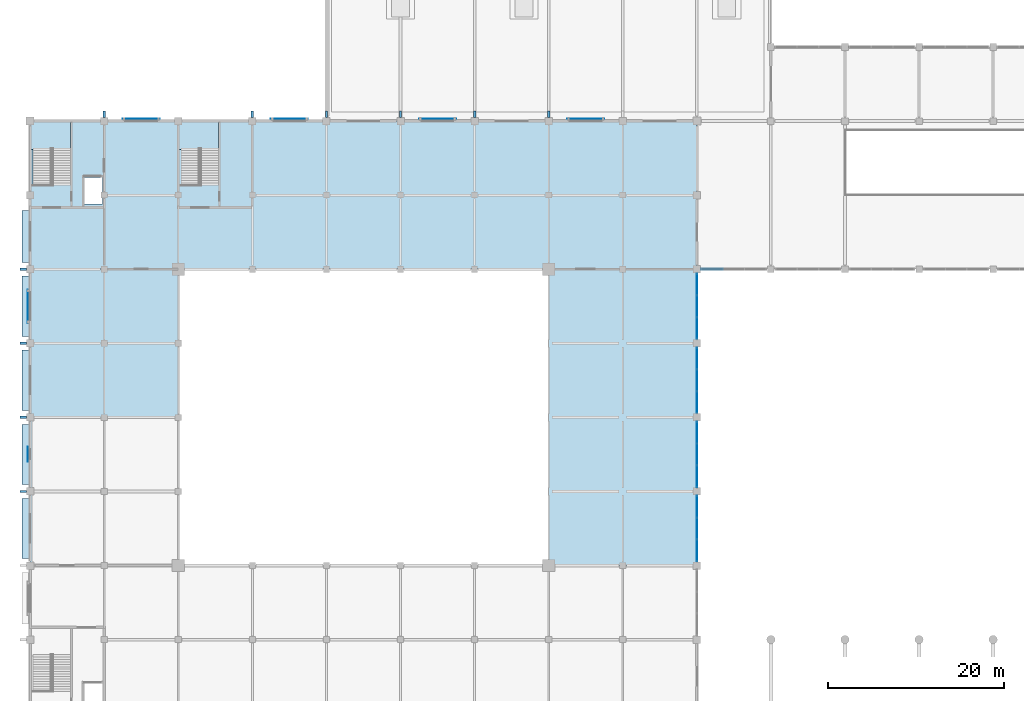
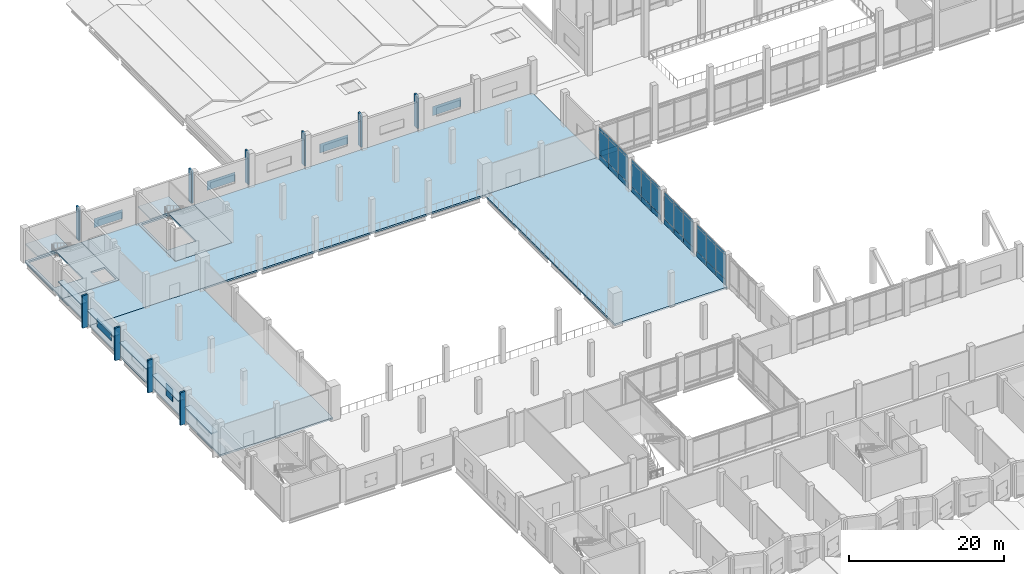
# One storey, part 38 of 72: 58 plates, 7 slabs, 7 elements without a shape of their own.
"""IFC4 building model written with IfcOpenShell, lengths in metres."""

from ifc_helpers import new_model, si_unit, direction, frame, frame_2d, origin, place, context, subcontext, project, spatial, polyline, rectangle, outline, extrude, material, layer, layer_set, type_object, element, aggregate, save


model = new_model("IFC4")

# Units and contexts
model_context = context("Model", 3, precision=1e-05, world=origin(), true_north=direction((0.0, 1.0)))
body_context = subcontext(model_context, "Body", "Model", "MODEL_VIEW")
ifc_project = project(units=[si_unit("LENGTHUNIT", "METRE"), si_unit("AREAUNIT", "SQUARE_METRE"), si_unit("VOLUMEUNIT", "CUBIC_METRE"), si_unit("PLANEANGLEUNIT", "RADIAN"), si_unit("MASSUNIT", "GRAM", prefix="KILO")], contexts=[model_context])

# Site, building, storey
site_placement = place(None, origin())
site = spatial("IfcSite", under=ifc_project, at=site_placement, CompositionType="ELEMENT")
building_placement = place(site_placement, origin())
building = spatial("IfcBuilding", under=site, at=building_placement, Name="Qawsi Khor Wholesale Market", CompositionType="ELEMENT")
storey_placement = place(building_placement, frame((0.0, 0.0, 6.0)))
storey = spatial("IfcBuildingStorey", under=building, at=storey_placement, Name="L01", CompositionType="ELEMENT", Elevation=6.0)

# Curtain wall, plates
ifc_material_1 = material(Name="Aluminium Anodised Bronze", Category="aluminium")
ifc_layer_1 = layer(ifc_material_1, 0.199951171875, Name="Aluminium Anodised Bronze")
ifc_layer_set_1 = layer_set([ifc_layer_1], Name="Aluminium Anodised Bronze")
curtain_wall_type_1 = type_object("IfcCurtainWallType", Name="Trading Hall North-Light Curtain Wall CW-03", PredefinedType="NOTDEFINED", material=ifc_layer_set_1)
curtain_wall_1_placement = place(storey_placement, origin())
curtain_wall_1 = element("IfcCurtainWall", 1, at=curtain_wall_1_placement, inside=storey, type_object=curtain_wall_type_1, Name="Curtain wall CW-CW-03-L01-078", PredefinedType="NOTDEFINED")
ifc_material_2 = material(Name="Anodised Aluminium Spandrel", Category="aluminium")
ifc_layer_2 = layer(ifc_material_2, 0.074951171875, Name="Anodised Aluminium Spandrel")
ifc_layer_set_2 = layer_set([ifc_layer_2], Name="Anodised Aluminium Spandrel")
plate_type_1 = type_object("IfcPlateType", Name="Insulated Spandrel Panel CW-03 75mm", PredefinedType="CURTAIN_PANEL", material=ifc_layer_set_2)
plate_1_placement = place(storey_placement, frame((75.60009765625, 59.297607421875, 0.0048828125), z_axis=(0.0, 0.0, 1.0), x_axis=(0.0, 1.0, 0.0)))
plate_1 = element("IfcPlate", 2, at=plate_1_placement, type_object=plate_type_1, Name="Curtain panel CW-CW-03-L01-078-P0_00", PredefinedType="CURTAIN_PANEL", context=body_context, shape_type="SweptSolid", body=[
    extrude(rectangle(XDim=2.46826171875, YDim=0.074951171875, at=frame_2d((1.234130859375, 0.0))), origin(), (0.0, 0.0, 1.0), 0.840087890625),
])
plate_2_placement = place(storey_placement, frame((75.60009765625, 61.765869140625, 0.0048828125), z_axis=(0.0, 0.0, 1.0), x_axis=(0.0, 1.0, 0.0)))
plate_2 = element("IfcPlate", 3, at=plate_2_placement, type_object=plate_type_1, Name="Curtain panel CW-CW-03-L01-078-P0_01", PredefinedType="CURTAIN_PANEL", context=body_context, shape_type="SweptSolid", body=[
    extrude(rectangle(XDim=2.46826171875, YDim=0.074951171875, at=frame_2d((1.234130859375, 0.0))), origin(), (0.0, 0.0, 1.0), 0.840087890625),
])
plate_3_placement = place(storey_placement, frame((75.60009765625, 64.234130859375, 0.0048828125), z_axis=(0.0, 0.0, 1.0), x_axis=(0.0, 1.0, 0.0)))
plate_3 = element("IfcPlate", 4, at=plate_3_placement, type_object=plate_type_1, Name="Curtain panel CW-CW-03-L01-078-P0_02", PredefinedType="CURTAIN_PANEL", context=body_context, shape_type="SweptSolid", body=[
    extrude(rectangle(XDim=2.46826171875, YDim=0.074951171875, at=frame_2d((1.234130859375, 0.0))), origin(), (0.0, 0.0, 1.0), 0.840087890625),
])

curtain_wall_2_placement = place(storey_placement, origin())
curtain_wall_2 = element("IfcCurtainWall", 5, at=curtain_wall_2_placement, inside=storey, type_object=curtain_wall_type_1, Name="Curtain wall CW-CW-03-L01-083", PredefinedType="NOTDEFINED")
plate_4_placement = place(storey_placement, frame((75.60009765625, 67.697509765625, 0.0048828125), z_axis=(0.0, 0.0, 1.0), x_axis=(0.0, 1.0, 0.0)))
plate_4 = element("IfcPlate", 6, at=plate_4_placement, type_object=plate_type_1, Name="Curtain panel CW-CW-03-L01-083-P0_00", PredefinedType="CURTAIN_PANEL", context=body_context, shape_type="SweptSolid", body=[
    extrude(rectangle(XDim=2.46826171875, YDim=0.074951171875, at=frame_2d((1.234130859375, 0.0))), origin(), (0.0, 0.0, 1.0), 0.840087890625),
])
plate_5_placement = place(storey_placement, frame((75.60009765625, 70.165771484375, 0.0048828125), z_axis=(0.0, 0.0, 1.0), x_axis=(0.0, 1.0, 0.0)))
plate_5 = element("IfcPlate", 7, at=plate_5_placement, type_object=plate_type_1, Name="Curtain panel CW-CW-03-L01-083-P0_01", PredefinedType="CURTAIN_PANEL", context=body_context, shape_type="SweptSolid", body=[
    extrude(rectangle(XDim=2.468505859375, YDim=0.074951171875, at=frame_2d((1.234375, 0.0))), origin(), (0.0, 0.0, 1.0), 0.840087890625),
])
plate_6_placement = place(storey_placement, frame((75.60009765625, 72.63427734375, 0.0048828125), z_axis=(0.0, 0.0, 1.0), x_axis=(0.0, 1.0, 0.0)))
plate_6 = element("IfcPlate", 8, at=plate_6_placement, type_object=plate_type_1, Name="Curtain panel CW-CW-03-L01-083-P0_02", PredefinedType="CURTAIN_PANEL", context=body_context, shape_type="SweptSolid", body=[
    extrude(rectangle(XDim=2.46826171875, YDim=0.074951171875, at=frame_2d((1.234130859375, 0.0))), origin(), (0.0, 0.0, 1.0), 0.840087890625),
])

curtain_wall_3_placement = place(storey_placement, origin())
curtain_wall_3 = element("IfcCurtainWall", 9, at=curtain_wall_3_placement, inside=storey, type_object=curtain_wall_type_1, Name="Curtain wall CW-CW-03-L01-088", PredefinedType="NOTDEFINED")
plate_7_placement = place(storey_placement, frame((75.60009765625, 76.097412109375, 0.0048828125), z_axis=(0.0, 0.0, 1.0), x_axis=(0.0, 1.0, 0.0)))
plate_7 = element("IfcPlate", 10, at=plate_7_placement, type_object=plate_type_1, Name="Curtain panel CW-CW-03-L01-088-P0_00", PredefinedType="CURTAIN_PANEL", context=body_context, shape_type="SweptSolid", body=[
    extrude(rectangle(XDim=2.468505859375, YDim=0.074951171875, at=frame_2d((1.234375, 0.0))), origin(), (0.0, 0.0, 1.0), 0.840087890625),
])
plate_8_placement = place(storey_placement, frame((75.60009765625, 78.56591796875, 0.0048828125), z_axis=(0.0, 0.0, 1.0), x_axis=(0.0, 1.0, 0.0)))
plate_8 = element("IfcPlate", 11, at=plate_8_placement, type_object=plate_type_1, Name="Curtain panel CW-CW-03-L01-088-P0_01", PredefinedType="CURTAIN_PANEL", context=body_context, shape_type="SweptSolid", body=[
    extrude(rectangle(XDim=2.46826171875, YDim=0.074951171875, at=frame_2d((1.234130859375, 0.0))), origin(), (0.0, 0.0, 1.0), 0.840087890625),
])
plate_9_placement = place(storey_placement, frame((75.60009765625, 81.0341796875, 0.0048828125), z_axis=(0.0, 0.0, 1.0), x_axis=(0.0, 1.0, 0.0)))
plate_9 = element("IfcPlate", 12, at=plate_9_placement, type_object=plate_type_1, Name="Curtain panel CW-CW-03-L01-088-P0_02", PredefinedType="CURTAIN_PANEL", context=body_context, shape_type="SweptSolid", body=[
    extrude(rectangle(XDim=2.46826171875, YDim=0.074951171875, at=frame_2d((1.234130859375, 0.0))), origin(), (0.0, 0.0, 1.0), 0.840087890625),
])

curtain_wall_4_placement = place(storey_placement, origin())
curtain_wall_4 = element("IfcCurtainWall", 13, at=curtain_wall_4_placement, inside=storey, type_object=curtain_wall_type_1, Name="Curtain wall CW-CW-03-L01-093", PredefinedType="NOTDEFINED")
plate_10_placement = place(storey_placement, frame((75.60009765625, 84.49755859375, 0.0048828125), z_axis=(0.0, 0.0, 1.0), x_axis=(0.0, 1.0, 0.0)))
plate_10 = element("IfcPlate", 14, at=plate_10_placement, type_object=plate_type_1, Name="Curtain panel CW-CW-03-L01-093-P0_00", PredefinedType="CURTAIN_PANEL", context=body_context, shape_type="SweptSolid", body=[
    extrude(rectangle(XDim=2.46826171875, YDim=0.074951171875, at=frame_2d((1.234130859375, 0.0))), origin(), (0.0, 0.0, 1.0), 0.840087890625),
])
plate_11_placement = place(storey_placement, frame((75.60009765625, 86.9658203125, 0.0048828125), z_axis=(0.0, 0.0, 1.0), x_axis=(0.0, 1.0, 0.0)))
plate_11 = element("IfcPlate", 15, at=plate_11_placement, type_object=plate_type_1, Name="Curtain panel CW-CW-03-L01-093-P0_01", PredefinedType="CURTAIN_PANEL", context=body_context, shape_type="SweptSolid", body=[
    extrude(rectangle(XDim=2.46826171875, YDim=0.074951171875, at=frame_2d((1.234130859375, 0.0))), origin(), (0.0, 0.0, 1.0), 0.840087890625),
])
plate_12_placement = place(storey_placement, frame((75.60009765625, 89.43408203125, 0.0048828125), z_axis=(0.0, 0.0, 1.0), x_axis=(0.0, 1.0, 0.0)))
plate_12 = element("IfcPlate", 16, at=plate_12_placement, type_object=plate_type_1, Name="Curtain panel CW-CW-03-L01-093-P0_02", PredefinedType="CURTAIN_PANEL", context=body_context, shape_type="SweptSolid", body=[
    extrude(rectangle(XDim=2.468505859375, YDim=0.074951171875, at=frame_2d((1.234375, 0.0))), origin(), (0.0, 0.0, 1.0), 0.840087890625),
])

# Curtain wall, plate
ifc_layer_3 = layer(ifc_material_1, 0.219970703125, Name="Aluminium Anodised Bronze")
ifc_layer_set_3 = layer_set([ifc_layer_3], Name="Aluminium Anodised Bronze")
curtain_wall_type_2 = type_object("IfcCurtainWallType", Name="Auction Clerestory Curtain Wall CW-04", PredefinedType="NOTDEFINED", material=ifc_layer_set_3)
curtain_wall_5_placement = place(storey_placement, origin())
curtain_wall_5 = element("IfcCurtainWall", 17, at=curtain_wall_5_placement, inside=storey, type_object=curtain_wall_type_2, Name="Curtain wall CW-CW-04-L01-098", PredefinedType="NOTDEFINED")
ifc_layer_4 = layer(ifc_material_2, 0.0849609375, Name="Anodised Aluminium Spandrel")
ifc_layer_set_4 = layer_set([ifc_layer_4], Name="Anodised Aluminium Spandrel")
plate_type_2 = type_object("IfcPlateType", Name="Insulated Spandrel Panel CW-04 85mm", PredefinedType="CURTAIN_PANEL", material=ifc_layer_set_4)
plate_13_placement = place(storey_placement, frame((76.10009765625, 92.39990234375, 0.0048828125), z_axis=(0.0, 0.0, 1.0), x_axis=(1.0, 0.0, 0.0)))
plate_13 = element("IfcPlate", 18, at=plate_13_placement, type_object=plate_type_2, Name="Curtain panel CW-CW-04-L01-098-P0_00", PredefinedType="CURTAIN_PANEL", context=body_context, shape_type="SweptSolid", body=[
    extrude(rectangle(XDim=2.449951171875, YDim=0.0849609375, at=frame_2d((1.22509765625, 0.0))), origin(), (0.0, 0.0, 1.0), 0.840087890625),
])
aggregate(curtain_wall_5, [plate_13])

# Slabs
ifc_material_3 = material(Name="Concrete C40/50", Category="concrete")
ifc_layer_5 = layer(ifc_material_3, 0.27001953125, Name="Concrete C40/50")
ifc_layer_set_5 = layer_set([ifc_layer_5], Name="Concrete C40/50")
slab_type_1 = type_object("IfcSlabType", Name="Mezzanine Floor Slab 265 C40/50", PredefinedType="FLOOR", material=ifc_layer_set_5)
slab_1_placement = place(storey_placement, frame((0.0, 0.0, -0.27001953125)))
element("IfcSlab", 19, at=slab_1_placement, inside=storey, type_object=slab_type_1, Name="SLB-L01-WHALL-W", PredefinedType="FLOOR", context=body_context, shape_type="SweptSolid", body=[
    extrude(outline(polyline([(0.0, 92.39990234375), (16.800048828125, 92.39990234375), (16.800048828125, 58.800048828125), (0.0, 58.800048828125), (0.0, 92.39990234375)])), origin(), (0.0, 0.0, 1.0), 0.27001953125),
])
slab_2_placement = place(storey_placement, frame((0.0, 0.0, -0.27001953125)))
element("IfcSlab", 20, at=slab_2_placement, inside=storey, type_object=slab_type_1, Name="SLB-L01-WHALL-E", PredefinedType="FLOOR", context=body_context, shape_type="SweptSolid", body=[
    extrude(outline(polyline([(58.800048828125, 92.39990234375), (75.60009765625, 92.39990234375), (75.60009765625, 58.800048828125), (58.800048828125, 58.800048828125), (58.800048828125, 92.39990234375)])), origin(), (0.0, 0.0, 1.0), 0.27001953125),
])
slab_3_placement = place(storey_placement, frame((0.0, 0.0, -0.27001953125)))
element("IfcSlab", 21, at=slab_3_placement, inside=storey, type_object=slab_type_1, Name="SLB-L01-WHALL-N", PredefinedType="FLOOR", context=body_context, shape_type="SweptSolid", body=[
    extrude(outline(polyline([(0.0, 99.39990234375), (8.39990234375, 99.39990234375), (8.39990234375, 109.199951171875), (16.800048828125, 109.199951171875), (16.800048828125, 99.39990234375), (25.199951171875, 99.39990234375), (25.199951171875, 109.199951171875), (75.60009765625, 109.199951171875), (75.60009765625, 92.39990234375), (0.0, 92.39990234375), (0.0, 99.39990234375)])), origin(), (0.0, 0.0, 1.0), 0.27001953125),
])

# Plates
ifc_material_4 = material(Name="Perforated Bronze-Anodised Aluminium", Category="aluminium")
ifc_layer_6 = layer(ifc_material_4, 0.014892578125, Name="Perforated Bronze-Anodised Aluminium")
ifc_layer_set_6 = layer_set([ifc_layer_6], Name="Perforated Bronze-Anodised Aluminium")
plate_type_3 = type_object("IfcPlateType", Name="Perforated Bronze Mashrabiya Screen 15mm", PredefinedType="SHEET", material=ifc_layer_set_6)
for number, where, z_axis, x_axis, name in (
    (22, (10.5, 109.47509765625, 1.35009765625), (0.0, 0.0, 1.0), (1.0, 0.0, 0.0), "Solar mashrabiya screen 076"),
    (23, (27.300048828125, 109.47509765625, 1.35009765625), (0.0, 0.0, 1.0), (1.0, 0.0, 0.0), "Solar mashrabiya screen 077"),
    (24, (44.10009765625, 109.47509765625, 1.35009765625), (0.0, 0.0, 1.0), (1.0, 0.0, 0.0), "Solar mashrabiya screen 078"),
):
    element("IfcPlate", number, at=place(storey_placement, frame(where, z_axis=z_axis, x_axis=x_axis)), inside=storey, type_object=plate_type_3, Name=name, PredefinedType="SHEET", context=body_context, shape_type="SweptSolid", body=[
        extrude(rectangle(XDim=4.199951171875, YDim=0.014892578125, at=frame_2d((2.10009765625, 0.0))), origin(), (0.0, 0.0, 1.0), 1.449951171875),
    ])
plate_14_placement = place(storey_placement, frame((60.89990234375, 109.47509765625, 1.35009765625), z_axis=(0.0, 0.0, 1.0), x_axis=(1.0, 0.0, 0.0)))
element("IfcPlate", 25, at=plate_14_placement, inside=storey, type_object=plate_type_3, Name="Solar mashrabiya screen 079", PredefinedType="SHEET", context=body_context, shape_type="SweptSolid", body=[
    extrude(rectangle(XDim=4.2001953125, YDim=0.014892578125, at=frame_2d((2.10009765625, 0.0))), origin(), (0.0, 0.0, 1.0), 1.449951171875),
])
ifc_layer_7 = layer(ifc_material_4, 0.02001953125, Name="Perforated Bronze-Anodised Aluminium")
ifc_layer_set_7 = layer_set([ifc_layer_7], Name="Perforated Bronze-Anodised Aluminium")
plate_type_4 = type_object("IfcPlateType", Name="Perforated Bronze Mashrabiya Screen 20mm", PredefinedType="SHEET", material=ifc_layer_set_7)
plate_15_placement = place(storey_placement, frame((-0.27490234375, 70.5400390625, 1.300048828125), z_axis=(0.0, 0.0, 1.0), x_axis=(0.0, 1.0, 0.0)))
element("IfcPlate", 26, at=plate_15_placement, inside=storey, type_object=plate_type_4, Name="Solar mashrabiya screen 072", PredefinedType="SHEET", context=body_context, shape_type="SweptSolid", body=[
    extrude(rectangle(XDim=1.719970703125, YDim=0.02001953125, at=frame_2d((0.85986328125, 0.0))), origin(), (0.0, 0.0, 1.0), 1.949951171875),
])
plate_16_placement = place(storey_placement, frame((-0.27490234375, 86.300048828125, 1.300048828125), z_axis=(0.0, 0.0, 1.0), x_axis=(0.0, 1.0, 0.0)))
element("IfcPlate", 27, at=plate_16_placement, inside=storey, type_object=plate_type_4, Name="Solar mashrabiya screen 073", PredefinedType="SHEET", context=body_context, shape_type="SweptSolid", body=[
    extrude(rectangle(XDim=3.800048828125, YDim=0.02001953125, at=frame_2d((1.89990234375, 0.0))), origin(), (0.0, 0.0, 1.0), 1.39990234375),
])
ifc_layer_8 = layer(ifc_material_3, 0.260009765625, Name="Concrete C40/50")
ifc_layer_set_8 = layer_set([ifc_layer_8], Name="Concrete C40/50")
plate_type_5 = type_object("IfcPlateType", Name="Sculpted Concrete Solar Buttress Fin 260", PredefinedType="SHEET", material=ifc_layer_set_8)
for number, where, z_axis, x_axis, name in (
    (28, (-1.14990234375, 67.199951171875, 0.0), (0.0, 0.0, 1.0), (1.0, 0.0, 0.0), "West Hall Concrete Buttress Rib L01-8"),
    (29, (-1.14990234375, 75.60009765625, 0.0), (0.0, 0.0, 1.0), (1.0, 0.0, 0.0), "West Hall Concrete Buttress Rib L01-9"),
    (30, (-1.14990234375, 84.0, 0.0), (0.0, 0.0, 1.0), (1.0, 0.0, 0.0), "West Hall Concrete Buttress Rib L01-10"),
    (31, (-1.14990234375, 92.39990234375, 0.0), (0.0, 0.0, 1.0), (1.0, 0.0, 0.0), "West Hall Concrete Buttress Rib L01-11"),
    (32, (8.39990234375, 109.590087890625, 0.0), (0.0, 0.0, 1.0), (0.0, 1.0, 0.0), "West Hall North Concrete Fin L01-1"),
    (33, (25.199951171875, 109.590087890625, 0.0), (0.0, 0.0, 1.0), (0.0, 1.0, 0.0), "West Hall North Concrete Fin L01-3"),
    (34, (33.60009765625, 109.590087890625, 0.0), (0.0, 0.0, 1.0), (0.0, 1.0, 0.0), "West Hall North Concrete Fin L01-4"),
    (35, (42.0, 109.590087890625, 0.0), (0.0, 0.0, 1.0), (0.0, 1.0, 0.0), "West Hall North Concrete Fin L01-5"),
    (36, (50.39990234375, 109.590087890625, 0.0), (0.0, 0.0, 1.0), (0.0, 1.0, 0.0), "West Hall North Concrete Fin L01-6"),
    (37, (58.800048828125, 109.590087890625, 0.0), (0.0, 0.0, 1.0), (0.0, 1.0, 0.0), "West Hall North Concrete Fin L01-7"),
):
    element("IfcPlate", number, at=place(storey_placement, frame(where, z_axis=z_axis, x_axis=x_axis)), inside=storey, type_object=plate_type_5, Name=name, PredefinedType="SHEET", context=body_context, shape_type="SweptSolid", body=[
        extrude(rectangle(XDim=0.760009765625, YDim=0.260009765625, at=frame_2d((0.3798828125, 0.0))), origin(), (0.0, 0.0, 1.0), 5.1298828125),
    ])
ifc_layer_9 = layer(ifc_material_3, 0.949951171875, Name="Concrete C40/50")
ifc_layer_set_9 = layer_set([ifc_layer_9], Name="Concrete C40/50")
plate_type_6 = type_object("IfcPlateType", Name="Sculpted Concrete Sun-Hood Canopy 950", PredefinedType="SHEET", material=ifc_layer_set_9)
plate_17_placement = place(storey_placement, frame((-0.425048828125, 59.580078125, 3.050048828125), z_axis=(0.0, 0.0, 1.0), x_axis=(0.0, 1.0, 0.0)))
element("IfcPlate", 38, at=plate_17_placement, inside=storey, type_object=plate_type_6, Name="West Hall Concrete Sun-Hood L01-7", PredefinedType="SHEET", context=body_context, shape_type="SweptSolid", body=[
    extrude(rectangle(XDim=6.83984375, YDim=0.949951171875, at=frame_2d((3.419921875, 0.0))), origin(), (0.0, 0.0, 1.0), 0.18994140625),
])
for number, where, z_axis, x_axis, name in (
    (39, (-0.425048828125, 67.97998046875, 3.050048828125), (0.0, 0.0, 1.0), (0.0, 1.0, 0.0), "West Hall Concrete Sun-Hood L01-8"),
    (40, (-0.425048828125, 76.3798828125, 3.050048828125), (0.0, 0.0, 1.0), (0.0, 1.0, 0.0), "West Hall Concrete Sun-Hood L01-9"),
    (41, (-0.425048828125, 84.780029296875, 3.050048828125), (0.0, 0.0, 1.0), (0.0, 1.0, 0.0), "West Hall Concrete Sun-Hood L01-10"),
):
    element("IfcPlate", number, at=place(storey_placement, frame(where, z_axis=z_axis, x_axis=x_axis)), inside=storey, type_object=plate_type_6, Name=name, PredefinedType="SHEET", context=body_context, shape_type="SweptSolid", body=[
        extrude(rectangle(XDim=6.840087890625, YDim=0.949951171875, at=frame_2d((3.419921875, 0.0))), origin(), (0.0, 0.0, 1.0), 0.18994140625),
    ])
plate_18_placement = place(storey_placement, frame((-0.425048828125, 93.179931640625, 3.050048828125), z_axis=(0.0, 0.0, 1.0), x_axis=(0.0, 1.0, 0.0)))
element("IfcPlate", 42, at=plate_18_placement, inside=storey, type_object=plate_type_6, Name="West Hall Concrete Sun-Hood L01-11", PredefinedType="SHEET", context=body_context, shape_type="SweptSolid", body=[
    extrude(rectangle(XDim=5.8701171875, YDim=0.949951171875, at=frame_2d((2.93505859375, 0.0))), origin(), (0.0, 0.0, 1.0), 0.18994140625),
])

# Plate
ifc_material_5 = material(Name="Tempered Low-E Solar Glass", Category="glass")
ifc_layer_10 = layer(ifc_material_5, 0.0419921875, Name="Tempered Low-E Solar Glass")
ifc_layer_set_10 = layer_set([ifc_layer_10], Name="Tempered Low-E Solar Glass")
plate_type_7 = type_object("IfcPlateType", Name="Solar Double-Glazed Unit CW-03 42mm", PredefinedType="CURTAIN_PANEL", material=ifc_layer_set_10)
plate_19_placement = place(storey_placement, frame((75.60009765625, 59.297607421875, 0.85498046875), z_axis=(0.0, 0.0, 1.0), x_axis=(0.0, 1.0, 0.0)))
plate_19 = element("IfcPlate", 43, at=plate_19_placement, type_object=plate_type_7, Name="Curtain panel CW-CW-03-L01-078-P1_00", PredefinedType="CURTAIN_PANEL", context=body_context, shape_type="SweptSolid", body=[
    extrude(rectangle(XDim=2.46826171875, YDim=0.0419921875, at=frame_2d((1.234130859375, 0.0))), origin(), (0.0, 0.0, 1.0), 3.820068359375),
])

plate_20_placement = place(storey_placement, frame((75.60009765625, 61.765869140625, 0.85498046875), z_axis=(0.0, 0.0, 1.0), x_axis=(0.0, 1.0, 0.0)))
plate_20 = element("IfcPlate", 44, at=plate_20_placement, type_object=plate_type_7, Name="Curtain panel CW-CW-03-L01-078-P1_01", PredefinedType="CURTAIN_PANEL", context=body_context, shape_type="SweptSolid", body=[
    extrude(rectangle(XDim=2.46826171875, YDim=0.0419921875, at=frame_2d((1.234130859375, 0.0))), origin(), (0.0, 0.0, 1.0), 3.820068359375),
])

plate_21_placement = place(storey_placement, frame((75.60009765625, 64.234130859375, 0.85498046875), z_axis=(0.0, 0.0, 1.0), x_axis=(0.0, 1.0, 0.0)))
plate_21 = element("IfcPlate", 45, at=plate_21_placement, type_object=plate_type_7, Name="Curtain panel CW-CW-03-L01-078-P1_02", PredefinedType="CURTAIN_PANEL", context=body_context, shape_type="SweptSolid", body=[
    extrude(rectangle(XDim=2.46826171875, YDim=0.0419921875, at=frame_2d((1.234130859375, 0.0))), origin(), (0.0, 0.0, 1.0), 3.820068359375),
])

plate_22_placement = place(storey_placement, frame((75.60009765625, 59.297607421875, 4.68505859375), z_axis=(0.0, 0.0, 1.0), x_axis=(0.0, 1.0, 0.0)))
plate_22 = element("IfcPlate", 46, at=plate_22_placement, type_object=plate_type_7, Name="Curtain panel CW-CW-03-L01-078-P2_00", PredefinedType="CURTAIN_PANEL", context=body_context, shape_type="SweptSolid", body=[
    extrude(rectangle(XDim=2.46826171875, YDim=0.0419921875, at=frame_2d((1.234130859375, 0.0))), origin(), (0.0, 0.0, 1.0), 0.43994140625),
])

plate_23_placement = place(storey_placement, frame((75.60009765625, 61.765869140625, 4.68505859375), z_axis=(0.0, 0.0, 1.0), x_axis=(0.0, 1.0, 0.0)))
plate_23 = element("IfcPlate", 47, at=plate_23_placement, type_object=plate_type_7, Name="Curtain panel CW-CW-03-L01-078-P2_01", PredefinedType="CURTAIN_PANEL", context=body_context, shape_type="SweptSolid", body=[
    extrude(rectangle(XDim=2.46826171875, YDim=0.0419921875, at=frame_2d((1.234130859375, 0.0))), origin(), (0.0, 0.0, 1.0), 0.43994140625),
])

plate_24_placement = place(storey_placement, frame((75.60009765625, 64.234130859375, 4.68505859375), z_axis=(0.0, 0.0, 1.0), x_axis=(0.0, 1.0, 0.0)))
plate_24 = element("IfcPlate", 48, at=plate_24_placement, type_object=plate_type_7, Name="Curtain panel CW-CW-03-L01-078-P2_02", PredefinedType="CURTAIN_PANEL", context=body_context, shape_type="SweptSolid", body=[
    extrude(rectangle(XDim=2.46826171875, YDim=0.0419921875, at=frame_2d((1.234130859375, 0.0))), origin(), (0.0, 0.0, 1.0), 0.43994140625),
])

aggregate(curtain_wall_1, [plate_1, plate_2, plate_3, plate_19, plate_20, plate_21, plate_22, plate_23, plate_24])

plate_25_placement = place(storey_placement, frame((75.60009765625, 67.697509765625, 0.85498046875), z_axis=(0.0, 0.0, 1.0), x_axis=(0.0, 1.0, 0.0)))
plate_25 = element("IfcPlate", 49, at=plate_25_placement, type_object=plate_type_7, Name="Curtain panel CW-CW-03-L01-083-P1_00", PredefinedType="CURTAIN_PANEL", context=body_context, shape_type="SweptSolid", body=[
    extrude(rectangle(XDim=2.46826171875, YDim=0.0419921875, at=frame_2d((1.234130859375, 0.0))), origin(), (0.0, 0.0, 1.0), 3.820068359375),
])

plate_26_placement = place(storey_placement, frame((75.60009765625, 70.165771484375, 0.85498046875), z_axis=(0.0, 0.0, 1.0), x_axis=(0.0, 1.0, 0.0)))
plate_26 = element("IfcPlate", 50, at=plate_26_placement, type_object=plate_type_7, Name="Curtain panel CW-CW-03-L01-083-P1_01", PredefinedType="CURTAIN_PANEL", context=body_context, shape_type="SweptSolid", body=[
    extrude(rectangle(XDim=2.468505859375, YDim=0.0419921875, at=frame_2d((1.234375, 0.0))), origin(), (0.0, 0.0, 1.0), 3.820068359375),
])

plate_27_placement = place(storey_placement, frame((75.60009765625, 72.63427734375, 0.85498046875), z_axis=(0.0, 0.0, 1.0), x_axis=(0.0, 1.0, 0.0)))
plate_27 = element("IfcPlate", 51, at=plate_27_placement, type_object=plate_type_7, Name="Curtain panel CW-CW-03-L01-083-P1_02", PredefinedType="CURTAIN_PANEL", context=body_context, shape_type="SweptSolid", body=[
    extrude(rectangle(XDim=2.46826171875, YDim=0.0419921875, at=frame_2d((1.234130859375, 0.0))), origin(), (0.0, 0.0, 1.0), 3.820068359375),
])

plate_28_placement = place(storey_placement, frame((75.60009765625, 67.697509765625, 4.68505859375), z_axis=(0.0, 0.0, 1.0), x_axis=(0.0, 1.0, 0.0)))
plate_28 = element("IfcPlate", 52, at=plate_28_placement, type_object=plate_type_7, Name="Curtain panel CW-CW-03-L01-083-P2_00", PredefinedType="CURTAIN_PANEL", context=body_context, shape_type="SweptSolid", body=[
    extrude(rectangle(XDim=2.46826171875, YDim=0.0419921875, at=frame_2d((1.234130859375, 0.0))), origin(), (0.0, 0.0, 1.0), 0.43994140625),
])

plate_29_placement = place(storey_placement, frame((75.60009765625, 70.165771484375, 4.68505859375), z_axis=(0.0, 0.0, 1.0), x_axis=(0.0, 1.0, 0.0)))
plate_29 = element("IfcPlate", 53, at=plate_29_placement, type_object=plate_type_7, Name="Curtain panel CW-CW-03-L01-083-P2_01", PredefinedType="CURTAIN_PANEL", context=body_context, shape_type="SweptSolid", body=[
    extrude(rectangle(XDim=2.468505859375, YDim=0.0419921875, at=frame_2d((1.234375, 0.0))), origin(), (0.0, 0.0, 1.0), 0.43994140625),
])

plate_30_placement = place(storey_placement, frame((75.60009765625, 72.63427734375, 4.68505859375), z_axis=(0.0, 0.0, 1.0), x_axis=(0.0, 1.0, 0.0)))
plate_30 = element("IfcPlate", 54, at=plate_30_placement, type_object=plate_type_7, Name="Curtain panel CW-CW-03-L01-083-P2_02", PredefinedType="CURTAIN_PANEL", context=body_context, shape_type="SweptSolid", body=[
    extrude(rectangle(XDim=2.46826171875, YDim=0.0419921875, at=frame_2d((1.234130859375, 0.0))), origin(), (0.0, 0.0, 1.0), 0.43994140625),
])

aggregate(curtain_wall_2, [plate_4, plate_5, plate_6, plate_25, plate_26, plate_27, plate_28, plate_29, plate_30])

plate_31_placement = place(storey_placement, frame((75.60009765625, 76.097412109375, 0.85498046875), z_axis=(0.0, 0.0, 1.0), x_axis=(0.0, 1.0, 0.0)))
plate_31 = element("IfcPlate", 55, at=plate_31_placement, type_object=plate_type_7, Name="Curtain panel CW-CW-03-L01-088-P1_00", PredefinedType="CURTAIN_PANEL", context=body_context, shape_type="SweptSolid", body=[
    extrude(rectangle(XDim=2.468505859375, YDim=0.0419921875, at=frame_2d((1.234375, 0.0))), origin(), (0.0, 0.0, 1.0), 3.820068359375),
])

plate_32_placement = place(storey_placement, frame((75.60009765625, 78.56591796875, 0.85498046875), z_axis=(0.0, 0.0, 1.0), x_axis=(0.0, 1.0, 0.0)))
plate_32 = element("IfcPlate", 56, at=plate_32_placement, type_object=plate_type_7, Name="Curtain panel CW-CW-03-L01-088-P1_01", PredefinedType="CURTAIN_PANEL", context=body_context, shape_type="SweptSolid", body=[
    extrude(rectangle(XDim=2.46826171875, YDim=0.0419921875, at=frame_2d((1.234130859375, 0.0))), origin(), (0.0, 0.0, 1.0), 3.820068359375),
])

plate_33_placement = place(storey_placement, frame((75.60009765625, 81.0341796875, 0.85498046875), z_axis=(0.0, 0.0, 1.0), x_axis=(0.0, 1.0, 0.0)))
plate_33 = element("IfcPlate", 57, at=plate_33_placement, type_object=plate_type_7, Name="Curtain panel CW-CW-03-L01-088-P1_02", PredefinedType="CURTAIN_PANEL", context=body_context, shape_type="SweptSolid", body=[
    extrude(rectangle(XDim=2.46826171875, YDim=0.0419921875, at=frame_2d((1.234130859375, 0.0))), origin(), (0.0, 0.0, 1.0), 3.820068359375),
])

plate_34_placement = place(storey_placement, frame((75.60009765625, 76.097412109375, 4.68505859375), z_axis=(0.0, 0.0, 1.0), x_axis=(0.0, 1.0, 0.0)))
plate_34 = element("IfcPlate", 58, at=plate_34_placement, type_object=plate_type_7, Name="Curtain panel CW-CW-03-L01-088-P2_00", PredefinedType="CURTAIN_PANEL", context=body_context, shape_type="SweptSolid", body=[
    extrude(rectangle(XDim=2.468505859375, YDim=0.0419921875, at=frame_2d((1.234375, 0.0))), origin(), (0.0, 0.0, 1.0), 0.43994140625),
])

plate_35_placement = place(storey_placement, frame((75.60009765625, 78.56591796875, 4.68505859375), z_axis=(0.0, 0.0, 1.0), x_axis=(0.0, 1.0, 0.0)))
plate_35 = element("IfcPlate", 59, at=plate_35_placement, type_object=plate_type_7, Name="Curtain panel CW-CW-03-L01-088-P2_01", PredefinedType="CURTAIN_PANEL", context=body_context, shape_type="SweptSolid", body=[
    extrude(rectangle(XDim=2.46826171875, YDim=0.0419921875, at=frame_2d((1.234130859375, 0.0))), origin(), (0.0, 0.0, 1.0), 0.43994140625),
])

plate_36_placement = place(storey_placement, frame((75.60009765625, 81.0341796875, 4.68505859375), z_axis=(0.0, 0.0, 1.0), x_axis=(0.0, 1.0, 0.0)))
plate_36 = element("IfcPlate", 60, at=plate_36_placement, type_object=plate_type_7, Name="Curtain panel CW-CW-03-L01-088-P2_02", PredefinedType="CURTAIN_PANEL", context=body_context, shape_type="SweptSolid", body=[
    extrude(rectangle(XDim=2.46826171875, YDim=0.0419921875, at=frame_2d((1.234130859375, 0.0))), origin(), (0.0, 0.0, 1.0), 0.43994140625),
])

aggregate(curtain_wall_3, [plate_7, plate_8, plate_9, plate_31, plate_32, plate_33, plate_34, plate_35, plate_36])

plate_37_placement = place(storey_placement, frame((75.60009765625, 84.49755859375, 0.85498046875), z_axis=(0.0, 0.0, 1.0), x_axis=(0.0, 1.0, 0.0)))
plate_37 = element("IfcPlate", 61, at=plate_37_placement, type_object=plate_type_7, Name="Curtain panel CW-CW-03-L01-093-P1_00", PredefinedType="CURTAIN_PANEL", context=body_context, shape_type="SweptSolid", body=[
    extrude(rectangle(XDim=2.46826171875, YDim=0.0419921875, at=frame_2d((1.234130859375, 0.0))), origin(), (0.0, 0.0, 1.0), 3.820068359375),
])

plate_38_placement = place(storey_placement, frame((75.60009765625, 86.9658203125, 0.85498046875), z_axis=(0.0, 0.0, 1.0), x_axis=(0.0, 1.0, 0.0)))
plate_38 = element("IfcPlate", 62, at=plate_38_placement, type_object=plate_type_7, Name="Curtain panel CW-CW-03-L01-093-P1_01", PredefinedType="CURTAIN_PANEL", context=body_context, shape_type="SweptSolid", body=[
    extrude(rectangle(XDim=2.46826171875, YDim=0.0419921875, at=frame_2d((1.234130859375, 0.0))), origin(), (0.0, 0.0, 1.0), 3.820068359375),
])

plate_39_placement = place(storey_placement, frame((75.60009765625, 89.43408203125, 0.85498046875), z_axis=(0.0, 0.0, 1.0), x_axis=(0.0, 1.0, 0.0)))
plate_39 = element("IfcPlate", 63, at=plate_39_placement, type_object=plate_type_7, Name="Curtain panel CW-CW-03-L01-093-P1_02", PredefinedType="CURTAIN_PANEL", context=body_context, shape_type="SweptSolid", body=[
    extrude(rectangle(XDim=2.468505859375, YDim=0.0419921875, at=frame_2d((1.234375, 0.0))), origin(), (0.0, 0.0, 1.0), 3.820068359375),
])

plate_40_placement = place(storey_placement, frame((75.60009765625, 84.49755859375, 4.68505859375), z_axis=(0.0, 0.0, 1.0), x_axis=(0.0, 1.0, 0.0)))
plate_40 = element("IfcPlate", 64, at=plate_40_placement, type_object=plate_type_7, Name="Curtain panel CW-CW-03-L01-093-P2_00", PredefinedType="CURTAIN_PANEL", context=body_context, shape_type="SweptSolid", body=[
    extrude(rectangle(XDim=2.46826171875, YDim=0.0419921875, at=frame_2d((1.234130859375, 0.0))), origin(), (0.0, 0.0, 1.0), 0.43994140625),
])

plate_41_placement = place(storey_placement, frame((75.60009765625, 86.9658203125, 4.68505859375), z_axis=(0.0, 0.0, 1.0), x_axis=(0.0, 1.0, 0.0)))
plate_41 = element("IfcPlate", 65, at=plate_41_placement, type_object=plate_type_7, Name="Curtain panel CW-CW-03-L01-093-P2_01", PredefinedType="CURTAIN_PANEL", context=body_context, shape_type="SweptSolid", body=[
    extrude(rectangle(XDim=2.46826171875, YDim=0.0419921875, at=frame_2d((1.234130859375, 0.0))), origin(), (0.0, 0.0, 1.0), 0.43994140625),
])

plate_42_placement = place(storey_placement, frame((75.60009765625, 89.43408203125, 4.68505859375), z_axis=(0.0, 0.0, 1.0), x_axis=(0.0, 1.0, 0.0)))
plate_42 = element("IfcPlate", 66, at=plate_42_placement, type_object=plate_type_7, Name="Curtain panel CW-CW-03-L01-093-P2_02", PredefinedType="CURTAIN_PANEL", context=body_context, shape_type="SweptSolid", body=[
    extrude(rectangle(XDim=2.468505859375, YDim=0.0419921875, at=frame_2d((1.234375, 0.0))), origin(), (0.0, 0.0, 1.0), 0.43994140625),
])

aggregate(curtain_wall_4, [plate_10, plate_11, plate_12, plate_37, plate_38, plate_39, plate_40, plate_41, plate_42])

# Stair, slab
stair_type = type_object("IfcStairType", Name="Exit Stair L01-L02 5400 Rise", PredefinedType="HALF_TURN_STAIR", material=ifc_material_3)
stair_1_placement = place(storey_placement, origin())
stair_1 = element("IfcStair", 67, at=stair_1_placement, inside=storey, type_object=stair_type, Name="Stair ST-08 L01", PredefinedType="HALF_TURN_STAIR")
ifc_layer_11 = layer(ifc_material_3, 0.179931640625, Name="Concrete C40/50")
ifc_layer_set_11 = layer_set([ifc_layer_11], Name="Concrete C40/50")
slab_type_2 = type_object("IfcSlabType", Name="Stair Half-Landing Slab 180 C40/50", PredefinedType="LANDING", material=ifc_layer_set_11)
slab_4_placement = place(storey_placement, frame((0.0, 0.0, 2.52001953125)))
slab_4 = element("IfcSlab", 68, at=slab_4_placement, type_object=slab_type_2, Name="ST-08-L01 landing 1", PredefinedType="LANDING", context=body_context, shape_type="SweptSolid", body=[
    extrude(outline(polyline([(0.050048828125, 105.9599609375), (4.580078125, 105.9599609375), (4.580078125, 109.14990234375), (0.050048828125, 109.14990234375), (0.050048828125, 105.9599609375)])), origin(), (0.0, 0.0, 1.0), 0.179931640625),
])
aggregate(stair_1, [slab_4])

stair_2_placement = place(storey_placement, origin())
stair_2 = element("IfcStair", 69, at=stair_2_placement, inside=storey, type_object=stair_type, Name="Stair ST-09 L01", PredefinedType="HALF_TURN_STAIR")
slab_5_placement = place(storey_placement, frame((0.0, 0.0, 2.52001953125)))
slab_5 = element("IfcSlab", 70, at=slab_5_placement, type_object=slab_type_2, Name="ST-09-L01 landing 1", PredefinedType="LANDING", context=body_context, shape_type="SweptSolid", body=[
    extrude(outline(polyline([(16.85009765625, 105.9599609375), (21.3798828125, 105.9599609375), (21.3798828125, 109.14990234375), (16.85009765625, 109.14990234375), (16.85009765625, 105.9599609375)])), origin(), (0.0, 0.0, 1.0), 0.179931640625),
])
aggregate(stair_2, [slab_5])

# Slabs
ifc_layer_12 = layer(ifc_material_3, 0.280029296875, Name="Concrete C40/50")
ifc_layer_set_12 = layer_set([ifc_layer_12], Name="Concrete C40/50")
slab_type_3 = type_object("IfcSlabType", Name="Suspended Floor Slab 280 C40/50", PredefinedType="FLOOR", material=ifc_layer_set_12)
slab_6_placement = place(storey_placement, frame((0.0, 0.0, -0.280029296875)))
element("IfcSlab", 71, at=slab_6_placement, inside=storey, type_object=slab_type_3, Name="Core floor slab L01 C08", PredefinedType="FLOOR", context=body_context, shape_type="SweptSolid", body=[
    extrude(outline(polyline([(0.0, 109.199951171875), (8.39990234375, 109.199951171875), (8.39990234375, 99.39990234375), (0.0, 99.39990234375), (0.0, 109.199951171875)]), holes=[polyline([(6.1201171875, 99.800048828125), (8.199951171875, 99.800048828125), (8.199951171875, 102.800048828125), (6.1201171875, 102.800048828125), (6.1201171875, 99.800048828125)]), polyline([(0.340087890625, 102.080078125), (4.580078125, 102.080078125), (4.580078125, 108.860107421875), (0.340087890625, 108.860107421875), (0.340087890625, 102.080078125)])]), origin(), (0.0, 0.0, 1.0), 0.280029296875),
])
slab_7_placement = place(storey_placement, frame((0.0, 0.0, -0.280029296875)))
element("IfcSlab", 72, at=slab_7_placement, inside=storey, type_object=slab_type_3, Name="Core floor slab L01 C09", PredefinedType="FLOOR", context=body_context, shape_type="SweptSolid", body=[
    extrude(outline(polyline([(16.800048828125, 109.199951171875), (25.199951171875, 109.199951171875), (25.199951171875, 99.39990234375), (16.800048828125, 99.39990234375), (16.800048828125, 109.199951171875)]), holes=[polyline([(21.3798828125, 102.080078125), (21.3798828125, 108.860107421875), (17.139892578125, 108.860107421875), (17.139892578125, 102.080078125), (21.3798828125, 102.080078125)])]), origin(), (0.0, 0.0, 1.0), 0.280029296875),
])

save(model, "model.ifc")
